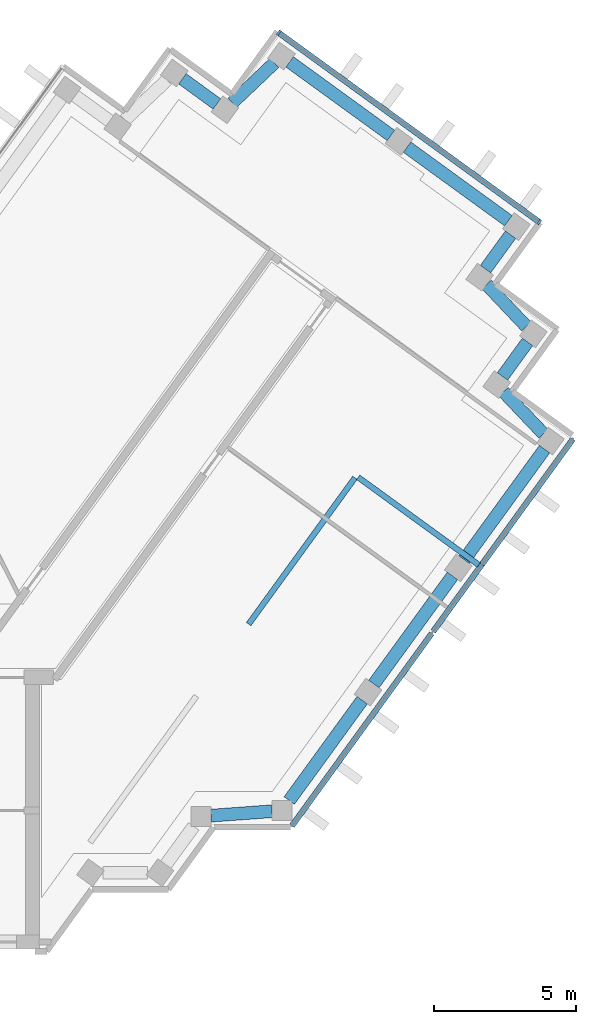
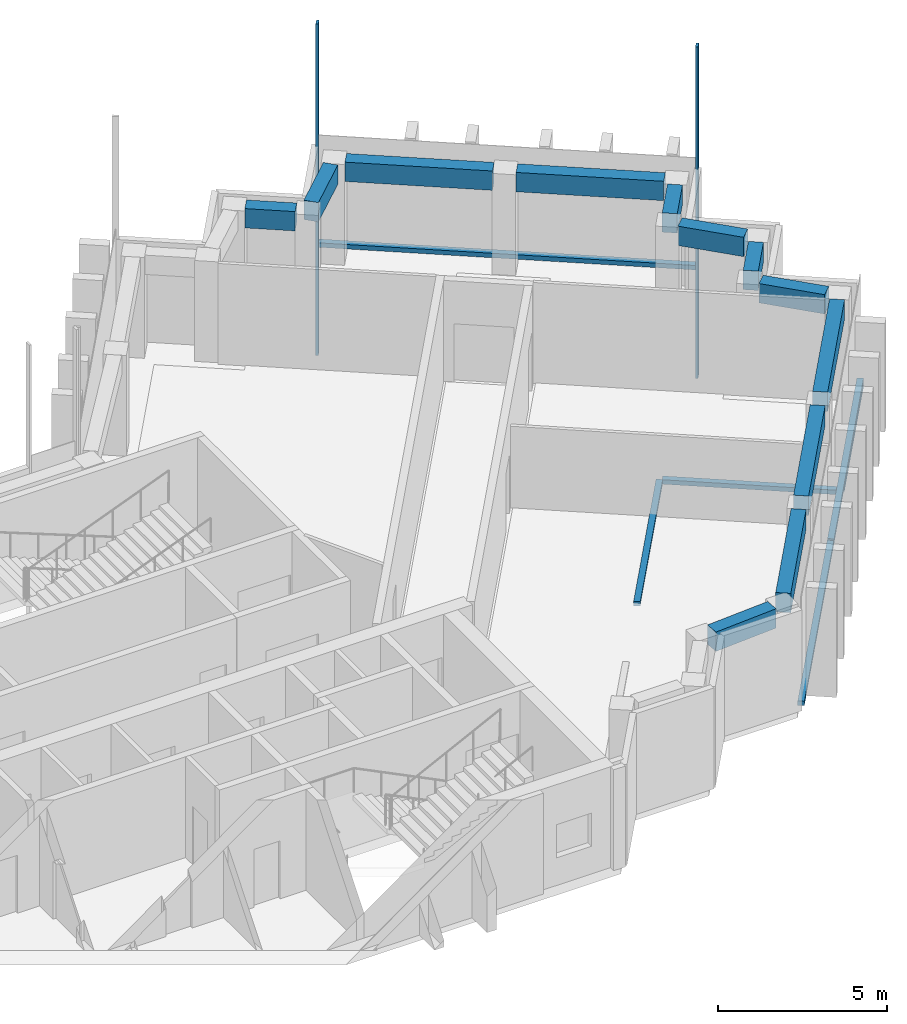
"""IFC4 building model written with IfcOpenShell, lengths in metres."""

from ifc_helpers import new_model, si_unit, direction, frame, origin, origin_2d, place, context, subcontext, project, spatial, rectangle, extrude, material, material_profile, profile_set, type_object, element, aggregate, save


model = new_model("IFC4")

# Units and contexts
model_context = context("Model", 3, precision=1e-05, world=origin(), true_north=direction((0.0, 1.0)))
body_context = subcontext(model_context, "Body", "Model", "MODEL_VIEW")
ifc_project = project(units=[si_unit("LENGTHUNIT", "METRE"), si_unit("AREAUNIT", "SQUARE_METRE"), si_unit("VOLUMEUNIT", "CUBIC_METRE"), si_unit("PLANEANGLEUNIT", "RADIAN"), si_unit("MASSUNIT", "GRAM", prefix="KILO")], contexts=[model_context])

# Site, building, storey
site_placement = place(None, origin())
site = spatial("IfcSite", under=ifc_project, at=site_placement, CompositionType="ELEMENT")
building_placement = place(site_placement, origin())
building = spatial("IfcBuilding", under=site, at=building_placement, Name="Quipu Civic Tower", CompositionType="ELEMENT")
storey_1_placement = place(building_placement, frame((0.0, 0.0, 323.0)))
storey_1 = spatial("IfcBuildingStorey", under=building, at=storey_1_placement, Name="L75", CompositionType="ELEMENT", Elevation=323.0)

# Curtain wall, members
ifc_material_1 = material(Name="Insulated glass unit", Category="glass")
curtain_wall_type = type_object("IfcCurtainWallType", Name="Office curtain wall CW1", PredefinedType="NOTDEFINED", material=ifc_material_1)
curtain_wall_1_placement = place(storey_1_placement, origin())
curtain_wall_1 = element("IfcCurtainWall", 1, at=curtain_wall_1_placement, inside=storey_1, type_object=curtain_wall_type, Name="Office curtain wall CW1 L74 run 28", PredefinedType="NOTDEFINED")
ifc_material_2 = material(Name="Anodised aluminium", Category="aluminium")
ifc_material_profile_1 = material_profile(ifc_material_2, rectangle(XDim=0.199951171875, YDim=0.080078125, at=origin_2d()), Name="RECT 200x80")
ifc_profile_set_1 = profile_set([ifc_material_profile_1], Name="Anodised aluminium")
member_type_1 = type_object("IfcMemberType", Name="Mullion CW1", PredefinedType="MULLION", material=ifc_profile_set_1)
member_1_placement = place(storey_1_placement, frame((37.569091796875, 14.552490234375, -3.919921875), z_axis=(0.0, 0.0, 1.0), x_axis=(-0.587787753918, -0.809015176832, 0.0)))
member_1 = element("IfcMember", 2, at=member_1_placement, type_object=member_type_1, Name="CW1 mullion 1", PredefinedType="MULLION", context=body_context, shape_type="SweptSolid", body=[
    extrude(rectangle(XDim=0.199951171875, YDim=0.080078125, at=origin_2d()), origin(), (0.0, 0.0, 1.0), 12.0),
])
member_2_placement = place(storey_1_placement, frame((28.4111328125, 21.206298828125, -3.919921875), z_axis=(0.0, 0.0, 1.0), x_axis=(-0.587787753918, -0.809015176832, 0.0)))
member_2 = element("IfcMember", 3, at=member_2_placement, type_object=member_type_1, Name="CW1 mullion 2", PredefinedType="MULLION", context=body_context, shape_type="SweptSolid", body=[
    extrude(rectangle(XDim=0.199951171875, YDim=0.080078125, at=origin_2d()), origin(), (0.0, 0.0, 1.0), 12.0),
])

# Beams
ifc_material_3 = material(Name="Concrete C50/60", Category="concrete")
ifc_material_profile_2 = material_profile(ifc_material_3, rectangle(XDim=0.449951171875, YDim=0.699951171875, at=origin_2d()), Name="RC450x700")
ifc_profile_set_2 = profile_set([ifc_material_profile_2], Name="Concrete C50/60")
beam_type = type_object("IfcBeamType", Name="Spandrel beam RC 450x700 C50/60", PredefinedType="SPANDREL", material=ifc_profile_set_2)
beam_1_placement = place(storey_1_placement, frame((26.0244140625, -6.3115234375, 3.300048828125), z_axis=(0.997379352029, 0.072349347934, 0.0), x_axis=(-0.072349347934, 0.997379352029, 0.0)))
element("IfcBeam", 4, at=beam_1_placement, inside=storey_1, type_object=beam_type, Name="Spandrel beam L75 J-Eo.3 to J-Eo.4", PredefinedType="SPANDREL", context=body_context, shape_type="SweptSolid", body=[
    extrude(rectangle(XDim=0.449951171875, YDim=0.699951171875, at=origin_2d()), origin(), (0.0, 0.0, 1.0), 2.15625),
])
beam_2_placement = place(storey_1_placement, frame((28.779296875, -5.780029296875, 3.300048828125), z_axis=(0.58777550284, 0.809024077677, 0.0), x_axis=(-0.809024077677, 0.58777550284, 0.0)))
element("IfcBeam", 5, at=beam_2_placement, inside=storey_1, type_object=beam_type, Name="Spandrel beam L75 J-Eo.4 to E-OUT-01", PredefinedType="SPANDREL", context=body_context, shape_type="SweptSolid", body=[
    extrude(rectangle(XDim=0.449951171875, YDim=0.699951171875, at=origin_2d()), origin(), (0.0, 0.0, 1.0), 4.36083984375),
])
beam_3_placement = place(storey_1_placement, frame((31.75390625, -1.685546875, 3.300048828125), z_axis=(0.587788656305, 0.809014521204, 0.0), x_axis=(-0.809014521204, 0.587788656305, 0.0)))
element("IfcBeam", 6, at=beam_3_placement, inside=storey_1, type_object=beam_type, Name="Spandrel beam L75 E-OUT-01 to E-OUT-02", PredefinedType="SPANDREL", context=body_context, shape_type="SweptSolid", body=[
    extrude(rectangle(XDim=0.449951171875, YDim=0.699951171875, at=origin_2d()), origin(), (0.0, 0.0, 1.0), 4.7001953125),
])
beam_4_placement = place(storey_1_placement, frame((34.927978515625, 2.68310546875, 3.300048828125), z_axis=(0.587905928359, 0.808929304328, 0.0), x_axis=(-0.808929304328, 0.587905928359, 0.0)))
element("IfcBeam", 7, at=beam_4_placement, inside=storey_1, type_object=beam_type, Name="Spandrel beam L75 E-OUT-02 to T-Eo.0-E22", PredefinedType="SPANDREL", context=body_context, shape_type="SweptSolid", body=[
    extrude(rectangle(XDim=0.449951171875, YDim=0.699951171875, at=origin_2d()), origin(), (0.0, 0.0, 1.0), 4.80712890625),
])
beam_5_placement = place(storey_1_placement, frame((37.71484375, 7.11279296875, 3.300048828125), z_axis=(-0.689175330605, 0.724594620244, 0.0), x_axis=(-0.724594620244, -0.689175330605, 0.0)))
element("IfcBeam", 8, at=beam_5_placement, inside=storey_1, type_object=beam_type, Name="Spandrel beam L75 T-Eo.0-E22 to T-Eo.1-E22", PredefinedType="SPANDREL", context=body_context, shape_type="SweptSolid", body=[
    extrude(rectangle(XDim=0.449951171875, YDim=0.699951171875, at=origin_2d()), origin(), (0.0, 0.0, 1.0), 2.033447265625),
])
beam_6_placement = place(storey_1_placement, frame((36.273681640625, 9.12744140625, 3.300048828125), z_axis=(0.587164895097, 0.809467347066, 0.0), x_axis=(-0.809467347066, 0.587164895097, 0.0)))
element("IfcBeam", 9, at=beam_6_placement, inside=storey_1, type_object=beam_type, Name="Spandrel beam L75 T-Eo.1-E22 to T-Eo.2-E22", PredefinedType="SPANDREL", context=body_context, shape_type="SweptSolid", body=[
    extrude(rectangle(XDim=0.449951171875, YDim=0.699951171875, at=origin_2d()), origin(), (0.0, 0.0, 1.0), 1.500244140625),
])
beam_7_placement = place(storey_1_placement, frame((37.114990234375, 10.88330078125, 3.300048828125), z_axis=(-0.688247466856, 0.725475998477, 0.0), x_axis=(-0.725475998477, -0.688247466856, 0.0)))
element("IfcBeam", 10, at=beam_7_placement, inside=storey_1, type_object=beam_type, Name="Spandrel beam L75 T-Eo.2-E22 to T-Eo.3-E22", PredefinedType="SPANDREL", context=body_context, shape_type="SweptSolid", body=[
    extrude(rectangle(XDim=0.449951171875, YDim=0.699951171875, at=origin_2d()), origin(), (0.0, 0.0, 1.0), 2.032958984375),
])
beam_8_placement = place(storey_1_placement, frame((35.6767578125, 12.8994140625, 3.300048828125), z_axis=(0.588345920092, 0.808609348394, 0.0), x_axis=(-0.808609348394, 0.588345920092, 0.0)))
element("IfcBeam", 11, at=beam_8_placement, inside=storey_1, type_object=beam_type, Name="Spandrel beam L75 T-Eo.3-E22 to T-Eo.4-E22", PredefinedType="SPANDREL", context=body_context, shape_type="SweptSolid", body=[
    extrude(rectangle(XDim=0.449951171875, YDim=0.699951171875, at=origin_2d()), origin(), (0.0, 0.0, 1.0), 1.499755859375),
])
beam_9_placement = place(storey_1_placement, frame((36.481689453125, 14.6005859375, 3.300048828125), z_axis=(-0.809117270763, 0.587647208921, 0.0), x_axis=(-0.587647208921, -0.809117270763, 0.0)))
element("IfcBeam", 12, at=beam_9_placement, inside=storey_1, type_object=beam_type, Name="Spandrel beam L75 T-Eo.4-E22 to TIP-E-01-E22", PredefinedType="SPANDREL", context=body_context, shape_type="SweptSolid", body=[
    extrude(rectangle(XDim=0.449951171875, YDim=0.699951171875, at=origin_2d()), origin(), (0.0, 0.0, 1.0), 4.40185546875),
])
beam_10_placement = place(storey_1_placement, frame((32.353759765625, 17.5986328125, 3.300048828125), z_axis=(-0.809146152767, 0.587607439931, 0.0), x_axis=(-0.587607439931, -0.809146152767, 0.0)))
element("IfcBeam", 13, at=beam_10_placement, inside=storey_1, type_object=beam_type, Name="Spandrel beam L75 TIP-E-01-E22 to T-Ei.0-E22", PredefinedType="SPANDREL", context=body_context, shape_type="SweptSolid", body=[
    extrude(rectangle(XDim=0.449951171875, YDim=0.699951171875, at=origin_2d()), origin(), (0.0, 0.0, 1.0), 4.400390625),
])
beam_11_placement = place(storey_1_placement, frame((28.251708984375, 20.14501953125, 3.300048828125), z_axis=(-0.725359138958, -0.688370626574, 0.0), x_axis=(0.688370626574, -0.725359138958, 0.0)))
element("IfcBeam", 14, at=beam_11_placement, inside=storey_1, type_object=beam_type, Name="Spandrel beam L75 T-Ei.0-E22 to T-Ei.1-E22", PredefinedType="SPANDREL", context=body_context, shape_type="SweptSolid", body=[
    extrude(rectangle(XDim=0.449951171875, YDim=0.699951171875, at=origin_2d()), origin(), (0.0, 0.0, 1.0), 2.032958984375),
])
beam_12_placement = place(storey_1_placement, frame((26.236083984375, 18.70654296875, 3.300048828125), z_axis=(-0.808644589435, 0.588297482553, 0.0), x_axis=(-0.588297482553, -0.808644589435, 0.0)))
element("IfcBeam", 15, at=beam_12_placement, inside=storey_1, type_object=beam_type, Name="Spandrel beam L75 T-Ei.1-E22 to T-Ei.2-E22", PredefinedType="SPANDREL", context=body_context, shape_type="SweptSolid", body=[
    extrude(rectangle(XDim=0.449951171875, YDim=0.699951171875, at=origin_2d()), origin(), (0.0, 0.0, 1.0), 1.500244140625),
])

# Storey
storey_2_placement = place(building_placement, frame((0.0, 0.0, 319.0)))
storey_2 = spatial("IfcBuildingStorey", under=building, at=storey_2_placement, Name="L74", CompositionType="ELEMENT", Elevation=319.0)

# Curtain wall, member
curtain_wall_2_placement = place(storey_2_placement, origin())
curtain_wall_2 = element("IfcCurtainWall", 16, at=curtain_wall_2_placement, inside=storey_2, type_object=curtain_wall_type, Name="Office curtain wall CW1 L74 run 5", PredefinedType="NOTDEFINED")
ifc_material_4 = material(Name="Anodised aluminium", Category="aluminium")
ifc_material_profile_3 = material_profile(ifc_material_4, rectangle(XDim=0.199951171875, YDim=0.159912109375, at=origin_2d()), Name="RECT 200x160")
ifc_profile_set_3 = profile_set([ifc_material_profile_3], Name="Anodised aluminium")
member_type_2 = type_object("IfcMemberType", Name="Transom CW1", PredefinedType="USERDEFINED", material=ifc_profile_set_3)
member_3_placement = place(storey_1_placement, frame((27.351318359375, 0.420654296875, 0.0), z_axis=(0.587785815007, 0.809016585539, 0.0), x_axis=(-0.809016585539, 0.587785815007, 0.0)))
member_3 = element("IfcMember", 17, at=member_3_placement, inside=storey_1, type_object=member_type_2, Name="CW1 transom 1.2", ObjectType="TRANSOM", PredefinedType="USERDEFINED", context=body_context, shape_type="SweptSolid", body=[
    extrude(rectangle(XDim=0.199951171875, YDim=0.159912109375, at=origin_2d()), origin(), (0.0, 0.0, 1.0), 6.358642578125),
])
aggregate(curtain_wall_2, [member_3])

curtain_wall_3_placement = place(storey_2_placement, origin())
curtain_wall_3 = element("IfcCurtainWall", 18, at=curtain_wall_3_placement, inside=storey_2, type_object=curtain_wall_type, Name="Office curtain wall CW1 L74 run 6", PredefinedType="NOTDEFINED")
member_4_placement = place(storey_1_placement, frame((31.200439453125, 5.582763671875, 0.0), z_axis=(0.809010003307, -0.587794874552, 0.0), x_axis=(0.587794874552, 0.809010003307, 0.0)))
member_4 = element("IfcMember", 19, at=member_4_placement, inside=storey_1, type_object=member_type_2, Name="CW1 transom 1.2", ObjectType="TRANSOM", PredefinedType="USERDEFINED", context=body_context, shape_type="SweptSolid", body=[
    extrude(rectangle(XDim=0.199951171875, YDim=0.159912109375, at=origin_2d()), origin(), (0.0, 0.0, 1.0), 5.239990234375),
])
aggregate(curtain_wall_3, [member_4])

curtain_wall_4_placement = place(storey_2_placement, origin())
curtain_wall_4 = element("IfcCurtainWall", 20, at=curtain_wall_4_placement, inside=storey_2, type_object=curtain_wall_type, Name="Office curtain wall CW1 L74 run 7", PredefinedType="NOTDEFINED")
member_5_placement = place(storey_1_placement, frame((35.551513671875, 2.5205078125, 0.0), z_axis=(0.587795368516, 0.809009644412, 0.0), x_axis=(-0.809009644412, 0.587795368516, 0.0)))
member_5 = element("IfcMember", 21, at=member_5_placement, inside=storey_1, type_object=member_type_2, Name="CW1 transom 1.2", ObjectType="TRANSOM", PredefinedType="USERDEFINED", context=body_context, shape_type="SweptSolid", body=[
    extrude(rectangle(XDim=0.199951171875, YDim=0.159912109375, at=origin_2d()), origin(), (0.0, 0.0, 1.0), 5.43994140625),
])
aggregate(curtain_wall_4, [member_5])

# Member
member_6_placement = place(storey_1_placement, frame((37.536865234375, 14.575927734375, 0.080078125), z_axis=(-0.809022463805, 0.587777724194, 0.0), x_axis=(-0.587777724194, -0.809022463805, 0.0)))
member_6 = element("IfcMember", 22, at=member_6_placement, type_object=member_type_2, Name="CW1 transom 1.2", ObjectType="TRANSOM", PredefinedType="USERDEFINED", context=body_context, shape_type="SweptSolid", body=[
    extrude(rectangle(XDim=0.199951171875, YDim=0.159912109375, at=origin_2d()), origin(), (0.0, 0.0, 1.0), 11.240234375),
])

aggregate(curtain_wall_1, [member_1, member_2, member_6])

# Storey
storey_3_placement = place(building_placement, frame((0.0, 0.0, 327.0)))
storey_3 = spatial("IfcBuildingStorey", under=building, at=storey_3_placement, Name="L76", CompositionType="ELEMENT", Elevation=327.0)

# Curtain wall, members
curtain_wall_5_placement = place(storey_3_placement, origin())
curtain_wall_5 = element("IfcCurtainWall", 23, at=curtain_wall_5_placement, inside=storey_3, type_object=curtain_wall_type, Name="Office curtain wall CW1 L75 run 4", PredefinedType="NOTDEFINED")
member_7_placement = place(storey_1_placement, frame((28.876708984375, -6.66650390625, 0.159912109375), z_axis=(0.587812107925, 0.808997481935, 0.0), x_axis=(-0.808997481935, 0.587812107925, 0.0)))
member_7 = element("IfcMember", 24, at=member_7_placement, inside=storey_1, type_object=member_type_2, Name="CW1 transom 1.1", ObjectType="TRANSOM", PredefinedType="USERDEFINED", context=body_context, shape_type="SweptSolid", body=[
    extrude(rectangle(XDim=0.199951171875, YDim=0.159912109375, at=origin_2d()), origin(), (0.0, 0.0, 1.0), 8.35791015625),
])
member_8_placement = place(storey_1_placement, frame((33.83642578125, 0.15966796875, 0.159912109375), z_axis=(0.587779098815, 0.809021465102, 0.0), x_axis=(-0.809021465102, 0.587779098815, 0.0)))
member_8 = element("IfcMember", 25, at=member_8_placement, inside=storey_1, type_object=member_type_2, Name="CW1 transom 2.1", ObjectType="TRANSOM", PredefinedType="USERDEFINED", context=body_context, shape_type="SweptSolid", body=[
    extrude(rectangle(XDim=0.199951171875, YDim=0.159912109375, at=origin_2d()), origin(), (0.0, 0.0, 1.0), 8.35791015625),
])
aggregate(curtain_wall_5, [member_7, member_8])

save(model, "model.ifc")
